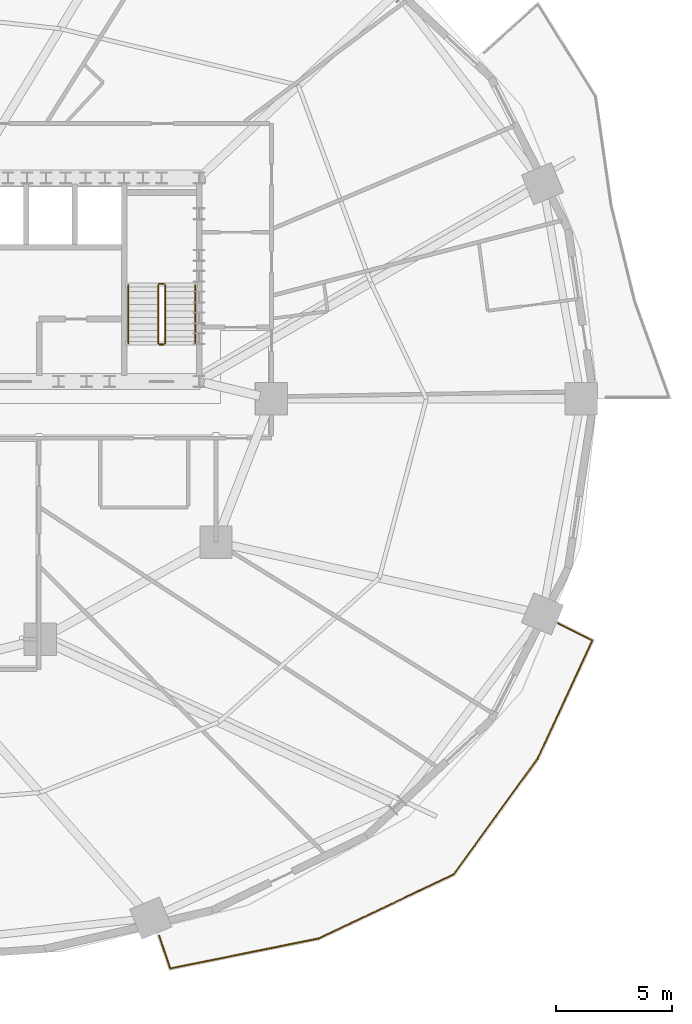
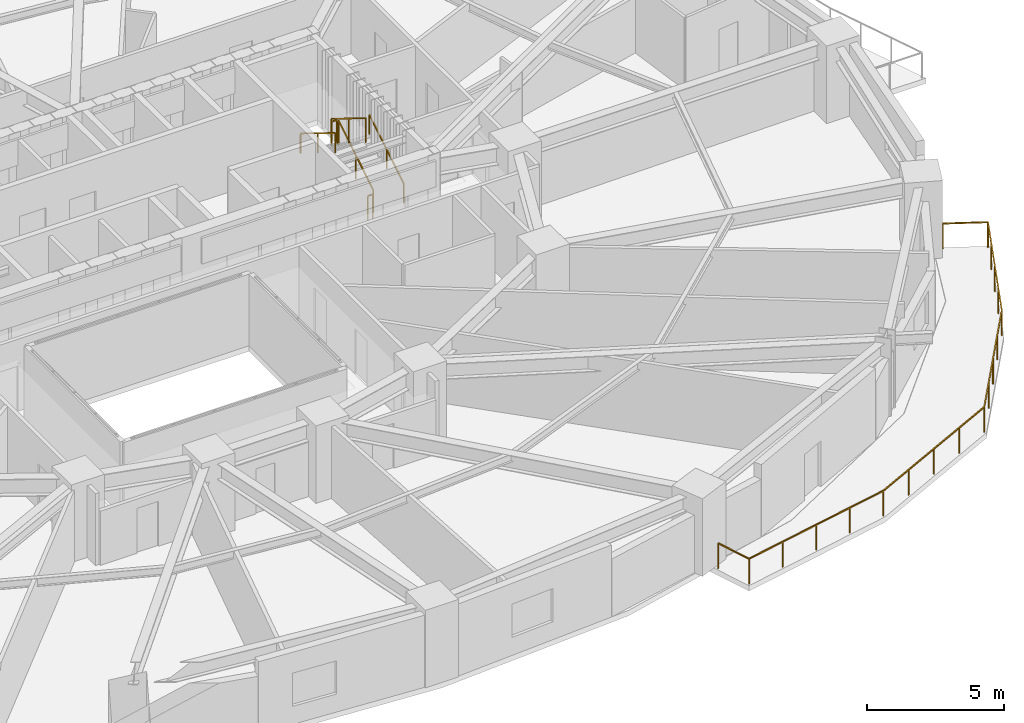
# One storey, part 16 of 17: 7 railings.
"""IFC4 building model written with IfcOpenShell, lengths in metres."""

from ifc_helpers import new_model, si_unit, direction, frame, origin, origin_2d, place, context, subcontext, project, spatial, rectangle, extrude, material, type_object, element, save


model = new_model("IFC4")

# Units and contexts
model_context = context("Model", 3, precision=1e-05, world=origin(), true_north=direction((0.0, 1.0)))
body_context = subcontext(model_context, "Body", "Model", "MODEL_VIEW")
ifc_project = project(units=[si_unit("LENGTHUNIT", "METRE"), si_unit("AREAUNIT", "SQUARE_METRE"), si_unit("VOLUMEUNIT", "CUBIC_METRE"), si_unit("PLANEANGLEUNIT", "RADIAN"), si_unit("MASSUNIT", "GRAM", prefix="KILO")], contexts=[model_context])

# Site, building, storey
site_placement = place(None, origin())
site = spatial("IfcSite", under=ifc_project, at=site_placement, CompositionType="ELEMENT")
building_placement = place(site_placement, origin())
building = spatial("IfcBuilding", under=site, at=building_placement, Name="Haldorwick Loom Tower", CompositionType="ELEMENT")
storey_placement = place(building_placement, frame((0.0, 0.0, 30.89990234375)))
storey = spatial("IfcBuildingStorey", under=building, at=storey_placement, Name="L07", CompositionType="ELEMENT", Elevation=30.89990234375)

# Railings
ifc_material_1 = material(Name="Galvanized Steel CSA G40.21 350W", Category="steel")
railing_type_1 = type_object("IfcRailingType", Name="ARC-RLG-BAL115", PredefinedType="BALUSTRADE", material=ifc_material_1)
railing_1_placement = place(storey_placement, frame((65.593994140625, 16.291748046875, 0.0)))
element("IfcRailing", 1, at=railing_1_placement, inside=storey, type_object=railing_type_1, Name="L07 Outdoor Terrace Guardrail SLB-L07-BAL_SE-1", PredefinedType="BALUSTRADE", context=body_context, shape_type="SweptSolid", body=[
    extrude(rectangle(XDim=0.048095703125, YDim=0.048095703125, at=origin_2d()), frame((0.0, 0.0, 1.1259765625), z_axis=(0.891661262254, -0.452703206744, 0.0), x_axis=(0.452703206744, 0.891661262254, 0.0)), (0.0, 0.0, 1.0), 1.65185546875),
    extrude(rectangle(XDim=0.048095703125, YDim=0.048095703125, at=origin_2d()), frame((1.472900390625, -0.747802734375, 1.1259765625), z_axis=(-0.420617836847, -0.907237915503, 0.0), x_axis=(0.907237915503, -0.420617836847, 0.0)), (0.0, 0.0, 1.0), 5.626220703125),
    extrude(rectangle(XDim=0.048095703125, YDim=0.048095703125, at=origin_2d()), frame((-0.8935546875, -5.85205078125, 1.1259765625), z_axis=(-0.586900247166, -0.809659249238, 0.0), x_axis=(0.809659249238, -0.586900247166, 0.0)), (0.0, 0.0, 1.0), 6.18017578125),
    extrude(rectangle(XDim=0.048095703125, YDim=0.048095703125, at=origin_2d()), frame((-4.520751953125, -10.85595703125, 1.1259765625), z_axis=(-0.903760901088, -0.428037654494, 0.0), x_axis=(0.428037654494, -0.903760901088, 0.0)), (0.0, 0.0, 1.0), 6.46630859375),
    extrude(rectangle(XDim=0.048095703125, YDim=0.048095703125, at=origin_2d()), frame((-10.36474609375, -13.623779296875, 1.1259765625), z_axis=(-0.980139965522, -0.198306953954, 0.0), x_axis=(0.198306953954, -0.980139965522, 0.0)), (0.0, 0.0, 1.0), 6.534912109375),
    extrude(rectangle(XDim=0.048095703125, YDim=0.048095703125, at=origin_2d()), frame((-16.769775390625, -14.919677734375, 1.1259765625), z_axis=(-0.32290577032, 0.946431119255, 0.0), x_axis=(-0.946431119255, -0.32290577032, 0.0)), (0.0, 0.0, 1.0), 1.500732421875),
    extrude(rectangle(XDim=0.0419921875, YDim=0.0419921875, at=origin_2d()), origin(), (0.0, 0.0, 1.0), 1.101806640625),
    extrude(rectangle(XDim=0.0419921875, YDim=0.0419921875, at=origin_2d()), frame((1.472900390625, -0.747802734375, 0.0)), (0.0, 0.0, 1.0), 1.101806640625),
    extrude(rectangle(XDim=0.0419921875, YDim=0.0419921875, at=origin_2d()), frame((0.88134765625, -2.02392578125, 0.0)), (0.0, 0.0, 1.0), 1.101806640625),
    extrude(rectangle(XDim=0.0419921875, YDim=0.0419921875, at=origin_2d()), frame((0.28955078125, -3.2998046875, 0.0)), (0.0, 0.0, 1.0), 1.101806640625),
    extrude(rectangle(XDim=0.0419921875, YDim=0.0419921875, at=origin_2d()), frame((-0.302001953125, -4.575927734375, 0.0)), (0.0, 0.0, 1.0), 1.101806640625),
    extrude(rectangle(XDim=0.0419921875, YDim=0.0419921875, at=origin_2d()), frame((-0.8935546875, -5.85205078125, 0.0)), (0.0, 0.0, 1.0), 1.101806640625),
    extrude(rectangle(XDim=0.0419921875, YDim=0.0419921875, at=origin_2d()), frame((-1.80029296875, -7.10302734375, 0.0)), (0.0, 0.0, 1.0), 1.101806640625),
    extrude(rectangle(XDim=0.0419921875, YDim=0.0419921875, at=origin_2d()), frame((-2.70703125, -8.35400390625, 0.0)), (0.0, 0.0, 1.0), 1.101806640625),
    extrude(rectangle(XDim=0.0419921875, YDim=0.0419921875, at=origin_2d()), frame((-3.614013671875, -9.60498046875, 0.0)), (0.0, 0.0, 1.0), 1.101806640625),
    extrude(rectangle(XDim=0.0419921875, YDim=0.0419921875, at=origin_2d()), frame((-4.520751953125, -10.85595703125, 0.0)), (0.0, 0.0, 1.0), 1.101806640625),
    extrude(rectangle(XDim=0.0419921875, YDim=0.0419921875, at=origin_2d()), frame((-5.981689453125, -11.5478515625, 0.0)), (0.0, 0.0, 1.0), 1.101806640625),
    extrude(rectangle(XDim=0.0419921875, YDim=0.0419921875, at=origin_2d()), frame((-7.44287109375, -12.23974609375, 0.0)), (0.0, 0.0, 1.0), 1.101806640625),
    extrude(rectangle(XDim=0.0419921875, YDim=0.0419921875, at=origin_2d()), frame((-8.90380859375, -12.931884765625, 0.0)), (0.0, 0.0, 1.0), 1.101806640625),
    extrude(rectangle(XDim=0.0419921875, YDim=0.0419921875, at=origin_2d()), frame((-10.36474609375, -13.623779296875, 0.0)), (0.0, 0.0, 1.0), 1.101806640625),
    extrude(rectangle(XDim=0.0419921875, YDim=0.0419921875, at=origin_2d()), frame((-11.966064453125, -13.94775390625, 0.0)), (0.0, 0.0, 1.0), 1.101806640625),
    extrude(rectangle(XDim=0.0419921875, YDim=0.0419921875, at=origin_2d()), frame((-13.5673828125, -14.271728515625, 0.0)), (0.0, 0.0, 1.0), 1.101806640625),
    extrude(rectangle(XDim=0.0419921875, YDim=0.0419921875, at=origin_2d()), frame((-15.16845703125, -14.595703125, 0.0)), (0.0, 0.0, 1.0), 1.101806640625),
    extrude(rectangle(XDim=0.0419921875, YDim=0.0419921875, at=origin_2d()), frame((-16.769775390625, -14.919677734375, 0.0)), (0.0, 0.0, 1.0), 1.101806640625),
    extrude(rectangle(XDim=0.0419921875, YDim=0.0419921875, at=origin_2d()), frame((-17.25439453125, -13.499267578125, 0.0)), (0.0, 0.0, 1.0), 1.101806640625),
])
ifc_material_2 = material(Name="Steel CSA G40.21 350W", Category="steel")
railing_type_2 = type_object("IfcRailingType", Name="ARC-RLG-GUARD112", PredefinedType="GUARDRAIL", material=ifc_material_2)
railing_2_placement = place(storey_placement, frame((48.60009765625, 28.39990234375, 0.172607421875)))
element("IfcRailing", 2, at=railing_2_placement, inside=storey, type_object=railing_type_2, Name="L07 ST-02 stair guard 1", PredefinedType="GUARDRAIL", context=body_context, shape_type="SweptSolid", body=[
    extrude(rectangle(XDim=0.048095703125, YDim=0.048095703125, at=origin_2d()), frame((0.0, 0.0, 1.076171875), z_axis=(0.0, 0.851400495292, 0.524516154772), x_axis=(-1.0, 0.0, 0.0)), (0.0, 0.0, 1.0), 2.9599609375),
    extrude(rectangle(XDim=0.0419921875, YDim=0.0419921875, at=origin_2d()), origin(), (0.0, 0.0, 1.0), 1.052001953125),
    extrude(rectangle(XDim=0.0419921875, YDim=0.0419921875, at=origin_2d()), frame((0.0, 1.260009765625, 0.7763671875)), (0.0, 0.0, 1.0), 1.052001953125),
    extrude(rectangle(XDim=0.0419921875, YDim=0.0419921875, at=origin_2d()), frame((0.0, 2.52001953125, 1.552490234375)), (0.0, 0.0, 1.0), 1.052001953125),
])
railing_3_placement = place(storey_placement, frame((48.550048828125, 30.969970703125, 1.72509765625)))
element("IfcRailing", 3, at=railing_3_placement, inside=storey, type_object=railing_type_2, Name="L07 ST-02 stair guard 2", PredefinedType="GUARDRAIL", context=body_context, shape_type="SweptSolid", body=[
    extrude(rectangle(XDim=0.048095703125, YDim=0.048095703125, at=origin_2d()), frame((0.0, 0.0, 1.076171875), z_axis=(-1.0, 0.0, 0.0), x_axis=(0.0, -1.0, 0.0)), (0.0, 0.0, 1.0), 0.199951171875),
    extrude(rectangle(XDim=0.0419921875, YDim=0.0419921875, at=origin_2d()), origin(), (0.0, 0.0, 1.0), 1.052001953125),
    extrude(rectangle(XDim=0.0419921875, YDim=0.0419921875, at=origin_2d()), frame((-0.199951171875, 0.0, 0.0)), (0.0, 0.0, 1.0), 1.052001953125),
])
railing_4_placement = place(storey_placement, frame((48.300048828125, 30.919921875, 1.897705078125)))
element("IfcRailing", 4, at=railing_4_placement, inside=storey, type_object=railing_type_2, Name="L07 ST-02 stair guard 3", PredefinedType="GUARDRAIL", context=body_context, shape_type="SweptSolid", body=[
    extrude(rectangle(XDim=0.048095703125, YDim=0.048095703125, at=origin_2d()), frame((0.0, 0.0, 1.076171875), z_axis=(0.0, -0.851400495292, 0.524516154772), x_axis=(1.0, 0.0, 0.0)), (0.0, 0.0, 1.0), 2.9599609375),
    extrude(rectangle(XDim=0.0419921875, YDim=0.0419921875, at=origin_2d()), origin(), (0.0, 0.0, 1.0), 1.052001953125),
    extrude(rectangle(XDim=0.0419921875, YDim=0.0419921875, at=origin_2d()), frame((0.0, -1.260009765625, 0.7763671875)), (0.0, 0.0, 1.0), 1.052001953125),
    extrude(rectangle(XDim=0.0419921875, YDim=0.0419921875, at=origin_2d()), frame((0.0, -2.52001953125, 1.552490234375)), (0.0, 0.0, 1.0), 1.052001953125),
])
railing_5_placement = place(storey_placement, frame((48.550048828125, 28.35009765625, 0.0)))
element("IfcRailing", 5, at=railing_5_placement, inside=storey, type_object=railing_type_2, Name="L07 ST-02 stair guard 4", PredefinedType="GUARDRAIL", context=body_context, shape_type="SweptSolid", body=[
    extrude(rectangle(XDim=0.048095703125, YDim=0.048095703125, at=origin_2d()), frame((0.0, 0.0, 1.076171875), z_axis=(-1.0, 0.0, 0.0), x_axis=(0.0, -1.0, 0.0)), (0.0, 0.0, 1.0), 0.199951171875),
    extrude(rectangle(XDim=0.0419921875, YDim=0.0419921875, at=origin_2d()), origin(), (0.0, 0.0, 1.0), 1.052001953125),
    extrude(rectangle(XDim=0.0419921875, YDim=0.0419921875, at=origin_2d()), frame((-0.199951171875, 0.0, 0.0)), (0.0, 0.0, 1.0), 1.052001953125),
])
railing_type_3 = type_object("IfcRailingType", Name="ARC-RLG-HAND092", PredefinedType="HANDRAIL", material=ifc_material_2)
railing_6_placement = place(storey_placement, frame((49.89990234375, 28.39990234375, 0.172607421875)))
element("IfcRailing", 6, at=railing_6_placement, inside=storey, type_object=railing_type_3, Name="L07 ST-02 stair handrail 1", PredefinedType="HANDRAIL", context=body_context, shape_type="SweptSolid", body=[
    extrude(rectangle(XDim=0.048095703125, YDim=0.048095703125, at=origin_2d()), frame((0.0, 0.0, 0.8759765625), z_axis=(0.0, 0.851400495292, 0.524516154772), x_axis=(-1.0, 0.0, 0.0)), (0.0, 0.0, 1.0), 2.9599609375),
    extrude(rectangle(XDim=0.0419921875, YDim=0.0419921875, at=origin_2d()), origin(), (0.0, 0.0, 1.0), 0.851806640625),
    extrude(rectangle(XDim=0.0419921875, YDim=0.0419921875, at=origin_2d()), frame((0.0, 1.260009765625, 0.7763671875)), (0.0, 0.0, 1.0), 0.851806640625),
    extrude(rectangle(XDim=0.0419921875, YDim=0.0419921875, at=origin_2d()), frame((0.0, 2.52001953125, 1.552490234375)), (0.0, 0.0, 1.0), 0.851806640625),
])
railing_7_placement = place(storey_placement, frame((47.0, 30.919921875, 1.897705078125)))
element("IfcRailing", 7, at=railing_7_placement, inside=storey, type_object=railing_type_3, Name="L07 ST-02 stair handrail 2", PredefinedType="HANDRAIL", context=body_context, shape_type="SweptSolid", body=[
    extrude(rectangle(XDim=0.048095703125, YDim=0.048095703125, at=origin_2d()), frame((0.0, 0.0, 0.8759765625), z_axis=(0.0, -0.851400495292, 0.524516154772), x_axis=(1.0, 0.0, 0.0)), (0.0, 0.0, 1.0), 2.9599609375),
    extrude(rectangle(XDim=0.0419921875, YDim=0.0419921875, at=origin_2d()), origin(), (0.0, 0.0, 1.0), 0.851806640625),
    extrude(rectangle(XDim=0.0419921875, YDim=0.0419921875, at=origin_2d()), frame((0.0, -1.260009765625, 0.7763671875)), (0.0, 0.0, 1.0), 0.851806640625),
    extrude(rectangle(XDim=0.0419921875, YDim=0.0419921875, at=origin_2d()), frame((0.0, -2.52001953125, 1.552490234375)), (0.0, 0.0, 1.0), 0.851806640625),
])

save(model, "model.ifc")
